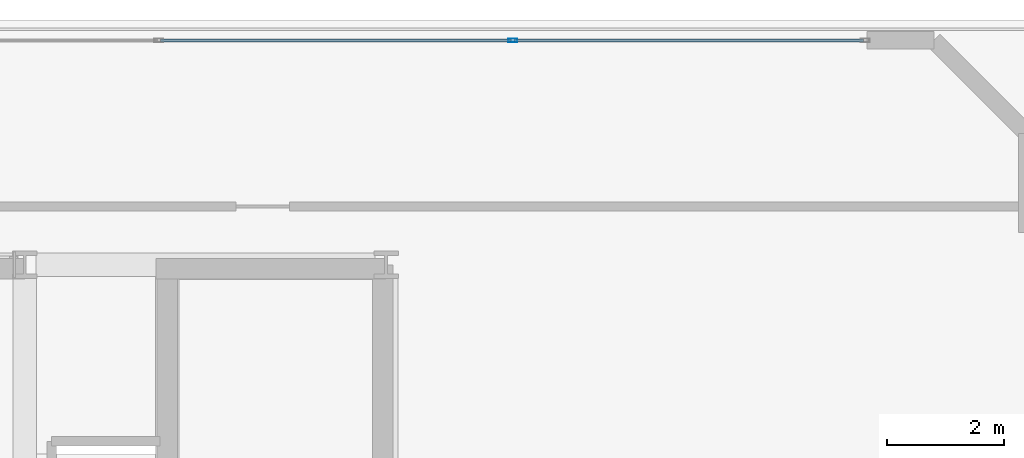
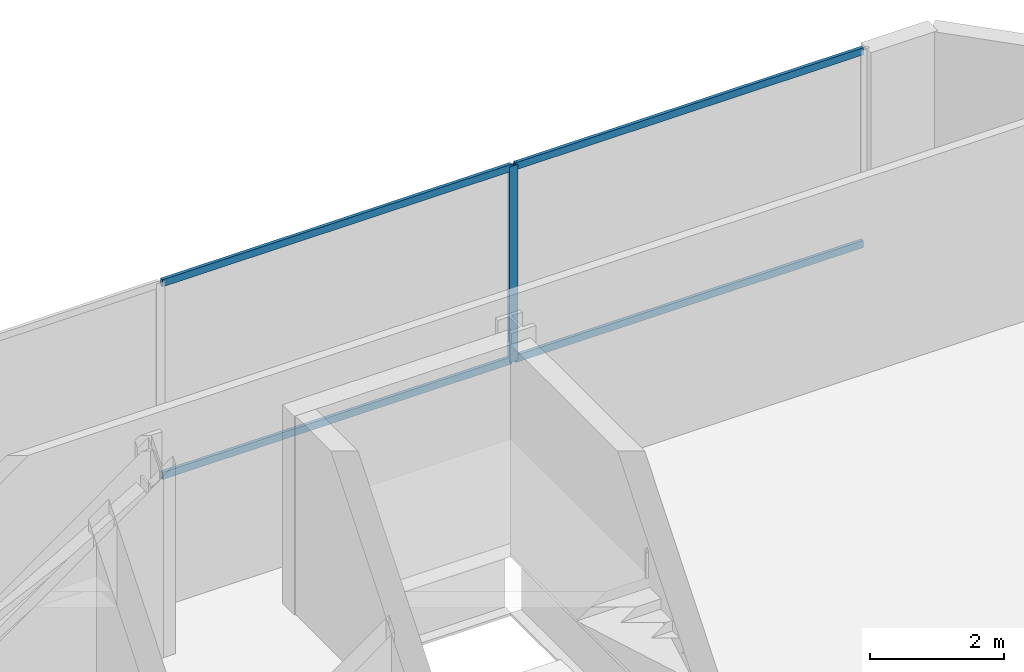
# One storey, part 13 of 19: 5 members, 1 element without a shape of its own.
"""IFC4 building model written with IfcOpenShell, lengths in metres."""

from ifc_helpers import new_model, si_unit, direction, frame, origin, origin_2d, place, context, subcontext, project, spatial, hollow_rectangle, extrude, material, layer, layer_set, material_profile, profile_set, type_object, element, aggregate, save


model = new_model("IFC4")

# Units and contexts
model_context = context("Model", 3, precision=1e-05, world=origin(), true_north=direction((0.0, 1.0)))
body_context = subcontext(model_context, "Body", "Model", "MODEL_VIEW")
ifc_project = project(units=[si_unit("LENGTHUNIT", "METRE"), si_unit("AREAUNIT", "SQUARE_METRE"), si_unit("VOLUMEUNIT", "CUBIC_METRE"), si_unit("PLANEANGLEUNIT", "RADIAN"), si_unit("MASSUNIT", "GRAM", prefix="KILO")], contexts=[model_context])

# Site, building, storey
site_placement = place(None, origin())
site = spatial("IfcSite", under=ifc_project, at=site_placement, CompositionType="ELEMENT")
building_placement = place(site_placement, origin())
building = spatial("IfcBuilding", under=site, at=building_placement, Name="Zuhayl Quay Hotel", CompositionType="ELEMENT")
storey_placement = place(building_placement, frame((0.0, 0.0, 304.85009765625)))
storey = spatial("IfcBuildingStorey", under=building, at=storey_placement, Name="Crown 3", CompositionType="ELEMENT", Elevation=304.85009765625)

# Curtain wall, members
ifc_material_1 = material(Name="Anodised Aluminium 6063-T6", Category="aluminium")
ifc_layer = layer(ifc_material_1, 0.159912109375, Name="Anodised Aluminium 6063-T6", Category="aluminium")
ifc_layer_set = layer_set([ifc_layer], Name="Anodised Aluminium 6063-T6")
curtain_wall_type = type_object("IfcCurtainWallType", Name="CW_SYS_CRN", PredefinedType="USERDEFINED", material=ifc_layer_set)
curtain_wall_placement = place(storey_placement, origin())
curtain_wall = element("IfcCurtainWall", 1, at=curtain_wall_placement, inside=storey, type_object=curtain_wall_type, Name="Crown 3 Curtain Wall ENV_CR3_E3_CW1", ObjectType="UNITISED CURTAIN WALL", PredefinedType="USERDEFINED")
ifc_material_2 = material(Name="Black-anodised aluminium 6063-T6", Category="aluminium")
ifc_material_profile_1 = material_profile(ifc_material_2, hollow_rectangle(XDim=0.06005859375, YDim=0.14990234375, WallThickness=0.00341796875, at=origin_2d()), Name="ALU150X60")
ifc_profile_set_1 = profile_set([ifc_material_profile_1], Name="Black-anodised aluminium 6063-T6")
member_type_1 = type_object("IfcMemberType", Name="MB_CW_MUL_150", PredefinedType="MULLION", material=ifc_profile_set_1)
member_1_placement = place(storey_placement, frame((3.77490234375, 38.300048828125, 0.0), z_axis=(0.0, 0.0, 1.0), x_axis=(0.0, 1.0, 0.0)))
member_1 = element("IfcMember", 2, at=member_1_placement, type_object=member_type_1, Name="CW-CRN mullion 4", PredefinedType="MULLION", context=body_context, shape_type="SweptSolid", body=[
    extrude(hollow_rectangle(XDim=0.06005859375, YDim=0.14990234375, WallThickness=0.00341796875, at=origin_2d()), origin(), (0.0, 0.0, 1.0), 3.559814453125),
])
ifc_material_profile_2 = material_profile(ifc_material_2, hollow_rectangle(XDim=0.054931640625, YDim=0.1298828125, WallThickness=0.0029296875, at=origin_2d()), Name="ALU130X55")
ifc_profile_set_2 = profile_set([ifc_material_profile_2], Name="Black-anodised aluminium 6063-T6")
member_type_2 = type_object("IfcMemberType", Name="MB_CW_TRN_130", PredefinedType="USERDEFINED", material=ifc_profile_set_2)
member_2_placement = place(storey_placement, frame((-2.27001953125, 38.300048828125, 0.02734375), z_axis=(1.0, 0.0, 0.0), x_axis=(0.0, 1.0, 0.0)))
member_2 = element("IfcMember", 3, at=member_2_placement, type_object=member_type_2, Name="CW-CRN transom 3.1", ObjectType="TRANSOM", PredefinedType="USERDEFINED", context=body_context, shape_type="SweptSolid", body=[
    extrude(hollow_rectangle(XDim=0.054931640625, YDim=0.1298828125, WallThickness=0.0029296875, at=origin_2d()), origin(), (0.0, 0.0, 1.0), 6.01513671875),
])
member_3_placement = place(storey_placement, frame((-2.27001953125, 38.300048828125, 3.532470703125), z_axis=(1.0, 0.0, 0.0), x_axis=(0.0, 1.0, 0.0)))
member_3 = element("IfcMember", 4, at=member_3_placement, type_object=member_type_2, Name="CW-CRN transom 3.2", ObjectType="TRANSOM", PredefinedType="USERDEFINED", context=body_context, shape_type="SweptSolid", body=[
    extrude(hollow_rectangle(XDim=0.054931640625, YDim=0.1298828125, WallThickness=0.0029296875, at=origin_2d()), origin(), (0.0, 0.0, 1.0), 6.01513671875),
])
member_4_placement = place(storey_placement, frame((3.804931640625, 38.300048828125, 0.02734375), z_axis=(1.0, 0.0, 0.0), x_axis=(0.0, 1.0, 0.0)))
member_4 = element("IfcMember", 5, at=member_4_placement, type_object=member_type_2, Name="CW-CRN transom 4.1", ObjectType="TRANSOM", PredefinedType="USERDEFINED", context=body_context, shape_type="SweptSolid", body=[
    extrude(hollow_rectangle(XDim=0.054931640625, YDim=0.1298828125, WallThickness=0.0029296875, at=origin_2d()), origin(), (0.0, 0.0, 1.0), 5.985107421875),
])
member_5_placement = place(storey_placement, frame((3.804931640625, 38.300048828125, 3.532470703125), z_axis=(1.0, 0.0, 0.0), x_axis=(0.0, 1.0, 0.0)))
member_5 = element("IfcMember", 6, at=member_5_placement, type_object=member_type_2, Name="CW-CRN transom 4.2", ObjectType="TRANSOM", PredefinedType="USERDEFINED", context=body_context, shape_type="SweptSolid", body=[
    extrude(hollow_rectangle(XDim=0.054931640625, YDim=0.1298828125, WallThickness=0.0029296875, at=origin_2d()), origin(), (0.0, 0.0, 1.0), 5.985107421875),
])
aggregate(curtain_wall, [member_1, member_2, member_3, member_4, member_5])

save(model, "model.ifc")
